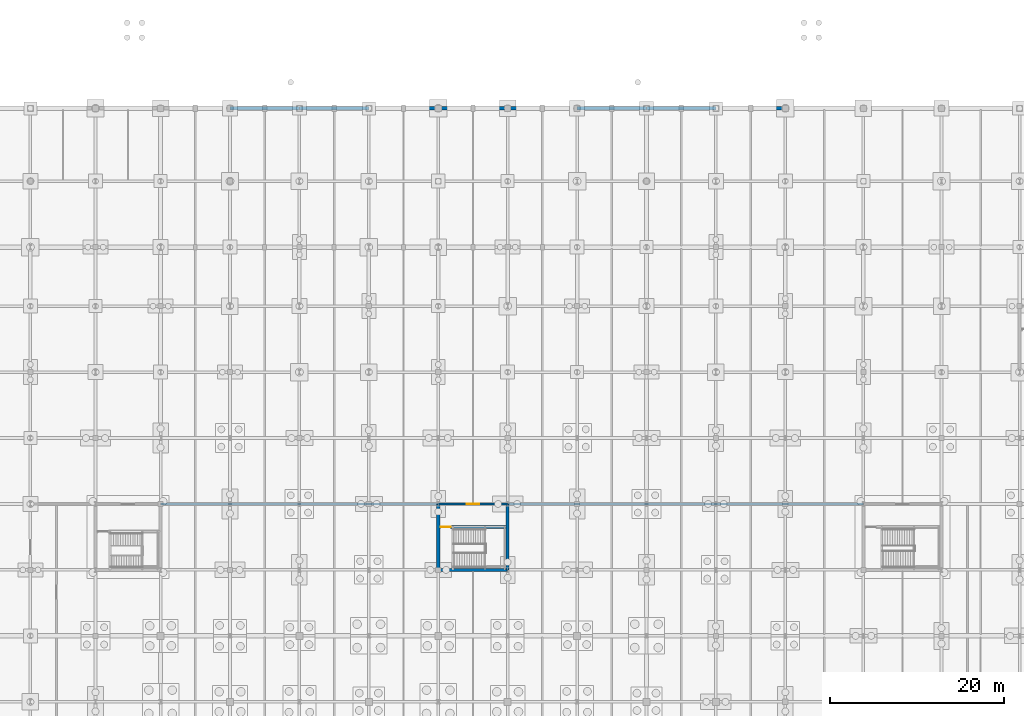
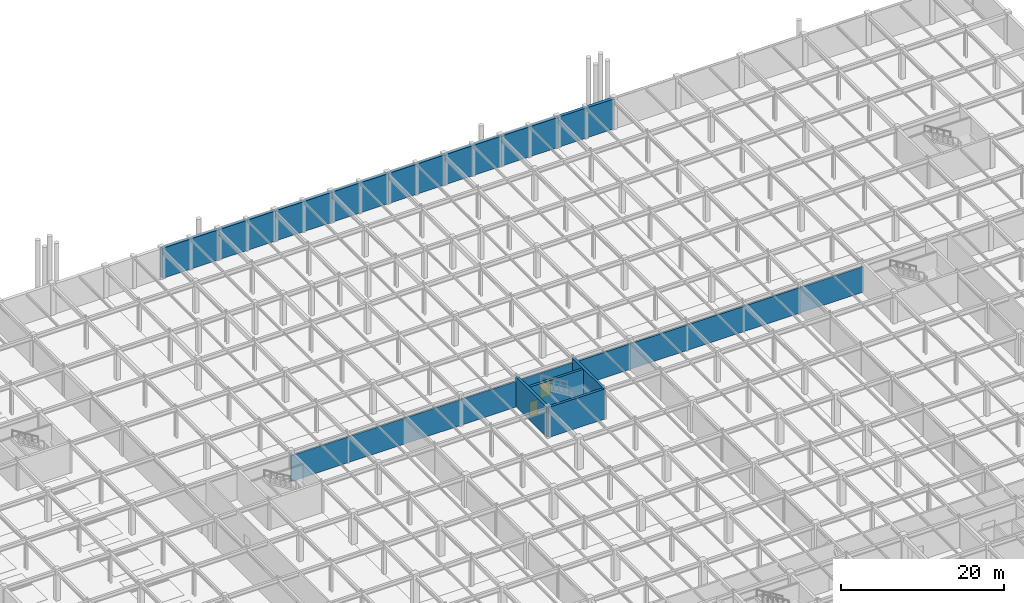
# One storey, part 45 of 53: 15 walls, 2 doors, 2 openings.
"""IFC4 building model written with IfcOpenShell, lengths in metres."""

from ifc_helpers import new_model, si_unit, direction, frame, frame_2d, origin, place, context, subcontext, project, spatial, rectangle, extrude, material, layer, layer_set, type_object, element, fill, save


model = new_model("IFC4")

# Units and contexts
model_context = context("Model", 3, precision=1e-05, world=origin(), true_north=direction((0.0, 1.0)))
body_context = subcontext(model_context, "Body", "Model", "MODEL_VIEW")
ifc_project = project(units=[si_unit("LENGTHUNIT", "METRE"), si_unit("AREAUNIT", "SQUARE_METRE"), si_unit("VOLUMEUNIT", "CUBIC_METRE"), si_unit("PLANEANGLEUNIT", "RADIAN"), si_unit("MASSUNIT", "GRAM", prefix="KILO")], contexts=[model_context])

# Site, building, storey
site_placement = place(None, origin())
site = spatial("IfcSite", under=ifc_project, at=site_placement, CompositionType="ELEMENT")
building_placement = place(site_placement, origin())
building = spatial("IfcBuilding", under=site, at=building_placement, Name="Shalkamar Park Central Library", CompositionType="ELEMENT")
storey_placement = place(building_placement, frame((0.0, 0.0, -4.800048828125)))
storey = spatial("IfcBuildingStorey", under=building, at=storey_placement, Name="B1", CompositionType="ELEMENT", Elevation=-4.800048828125)

# Walls
ifc_material_1 = material(Name="Concrete C40/50", Category="concrete")
ifc_layer_1 = layer(ifc_material_1, 0.449951171875)
ifc_layer_set_1 = layer_set([ifc_layer_1], Name="Concrete C40/50")
wall_type_1 = type_object("IfcWallType", Name="Basement Retaining Shear Wall 450", PredefinedType="SHEAR", material=ifc_layer_set_1)
for number, where, z_axis, x_axis, name in (
    (1, (173.0, 354.0, 0.0), (0.0, 0.0, 1.0), (1.0, 0.0, 0.0), "Basement Retaining Wall N-08"),
    (2, (181.0, 354.0, 0.0), (0.0, 0.0, 1.0), (1.0, 0.0, 0.0), "Basement Retaining Wall N-09"),
    (3, (189.0, 354.0, 0.0), (0.0, 0.0, 1.0), (1.0, 0.0, 0.0), "Basement Retaining Wall N-10"),
    (4, (197.0, 354.0, 0.0), (0.0, 0.0, 1.0), (1.0, 0.0, 0.0), "Basement Retaining Wall N-11"),
    (5, (205.0, 354.0, 0.0), (0.0, 0.0, 1.0), (1.0, 0.0, 0.0), "Basement Retaining Wall N-12"),
    (6, (213.0, 354.0, 0.0), (0.0, 0.0, 1.0), (1.0, 0.0, 0.0), "Basement Retaining Wall N-13"),
    (7, (221.0, 354.0, 0.0), (0.0, 0.0, 1.0), (1.0, 0.0, 0.0), "Basement Retaining Wall N-14"),
    (8, (229.0, 354.0, 0.0), (0.0, 0.0, 1.0), (1.0, 0.0, 0.0), "Basement Retaining Wall N-15"),
):
    element("IfcWall", number, at=place(storey_placement, frame(where, z_axis=z_axis, x_axis=x_axis)), inside=storey, type_object=wall_type_1, Name=name, PredefinedType="SHEAR", context=body_context, shape_type="SweptSolid", body=[
        extrude(rectangle(XDim=8.0, YDim=0.449951171875, at=frame_2d((4.0, 0.0))), origin(), (0.0, 0.0, 1.0), 4.510009765625),
    ])
ifc_material_2 = material(Name="Reinforced fire-compartment masonry wall", Category="masonry")
ifc_layer_2 = layer(ifc_material_2, 0.239990234375)
ifc_layer_set_2 = layer_set([ifc_layer_2], Name="CompartmentWall_240")
wall_type_2 = type_object("IfcWallType", Name="Compartment Wall 240", PredefinedType="PARTITIONING", material=ifc_layer_set_2)
wall_1_placement = place(storey_placement, frame((165.0, 308.39990234375, 0.0), z_axis=(0.0, 0.0, 1.0), x_axis=(1.0, 0.0, 0.0)))
element("IfcWall", 9, at=wall_1_placement, inside=storey, type_object=wall_type_2, Name="Interior Partition WL-INT-B1-034-S2", PredefinedType="PARTITIONING", context=body_context, shape_type="SweptSolid", body=[
    extrude(rectangle(XDim=32.0, YDim=0.239990234375, at=frame_2d((16.0, 0.0))), origin(), (0.0, 0.0, 1.0), 3.858154296875),
])
wall_2_placement = place(storey_placement, frame((205.0, 308.39990234375, 0.0), z_axis=(0.0, 0.0, 1.0), x_axis=(1.0, 0.0, 0.0)))
element("IfcWall", 10, at=wall_2_placement, inside=storey, type_object=wall_type_2, Name="Interior Partition WL-INT-B1-034-S3", PredefinedType="PARTITIONING", context=body_context, shape_type="SweptSolid", body=[
    extrude(rectangle(XDim=41.0, YDim=0.239990234375, at=frame_2d((20.5, 0.0))), origin(), (0.0, 0.0, 1.0), 3.80810546875),
])

# Wall, opening, door
ifc_material_3 = material(Name="Fire-rated corridor partition wall", Category="masonry")
ifc_layer_3 = layer(ifc_material_3, 0.199951171875)
ifc_layer_set_3 = layer_set([ifc_layer_3], Name="CorridorFireWall_200")
wall_type_3 = type_object("IfcWallType", Name="Corridor Fire Wall 200", PredefinedType="PARTITIONING", material=ifc_layer_set_3)
wall_3_placement = place(storey_placement, frame((197.0, 308.39990234375, 0.0), z_axis=(0.0, 0.0, 1.0), x_axis=(1.0, 0.0, 0.0)))
wall_3 = element("IfcWall", 11, at=wall_3_placement, inside=storey, type_object=wall_type_3, Name="CORE-P7 Vestibule North Wall (B1)", PredefinedType="PARTITIONING", context=body_context, shape_type="SweptSolid", body=[
    extrude(rectangle(XDim=8.0, YDim=0.199951171875, at=frame_2d((4.0, 0.0))), origin(), (0.0, 0.0, 1.0), 3.858154296875),
])
opening_1_placement = place(wall_3_placement, frame((3.27490234375, 0.0, 0.0)))
opening_1 = element("IfcOpeningElement", 12, at=opening_1_placement, cuts=wall_3, Name="Opening DR-ST-P7-B1-VEST", PredefinedType="OPENING", context=body_context, shape_type="SweptSolid", body=[
    extrude(rectangle(XDim=1.449951171875, YDim=2.199951171875, at=frame_2d((0.72509765625, 1.10009765625))), frame((0.0, 0.11474609375, 0.0), z_axis=(0.0, -1.0, 0.0), x_axis=(1.0, 0.0, 0.0)), (0.0, 0.0, 1.0), 0.229736328125),
])
ifc_material_4 = material(Name="Steel S355", Category="steel")
door_type_1 = type_object("IfcDoorType", Name="Stair Vestibule Door 1450x2200", OperationType="DOUBLE_DOOR_SINGLE_SWING", PredefinedType="DOOR", material=ifc_material_4)
door_1_placement = place(opening_1_placement, frame((1.449951171875, 0.0, 0.0), z_axis=(0.0, 0.0, 1.0), x_axis=(-1.0, 0.0, 0.0)))
door_1 = element("IfcDoor", 13, at=door_1_placement, inside=storey, type_object=door_type_1, Name="Protected Stair ST-P7 Vestibule Door (B1)", OperationType="DOUBLE_DOOR_SINGLE_SWING", OverallHeight=2.199951171875, OverallWidth=1.449951171875, PredefinedType="DOOR", context=body_context, shape_type="SweptSolid", body=[
    extrude(rectangle(XDim=1.449951171875, YDim=2.199951171875, at=frame_2d((0.72509765625, 1.10009765625))), frame((0.0, 0.02490234375, 0.0), z_axis=(0.0, -1.0, 0.0), x_axis=(1.0, 0.0, 0.0)), (0.0, 0.0, 1.0), 0.050048828125),
])
fill(opening_1, door_1)

# Walls
ifc_layer_4 = layer(ifc_material_1, 0.35009765625)
ifc_layer_set_4 = layer_set([ifc_layer_4], Name="Concrete C40/50")
wall_type_4 = type_object("IfcWallType", Name="Podium Core Shear Wall 350", PredefinedType="SHEAR", material=ifc_layer_set_4)
wall_4_placement = place(storey_placement, frame((197.0, 300.800048828125, 0.0), z_axis=(0.0, 0.0, 1.0), x_axis=(1.0, 0.0, 0.0)))
element("IfcWall", 14, at=wall_4_placement, inside=storey, type_object=wall_type_4, Name="CORE-P7 South Shear Wall (B1)", PredefinedType="SHEAR", context=body_context, shape_type="SweptSolid", body=[
    extrude(rectangle(XDim=8.0, YDim=0.35009765625, at=frame_2d((4.0, 0.0))), origin(), (0.0, 0.0, 1.0), 4.510009765625),
])
for number, where, z_axis, x_axis, name in (
    (15, (197.0, 300.800048828125, 0.0), (0.0, 0.0, 1.0), (0.0, 1.0, 0.0), "CORE-P7 West Shear Wall (B1)"),
    (16, (205.0, 300.800048828125, 0.0), (0.0, 0.0, 1.0), (0.0, 1.0, 0.0), "CORE-P7 East Shear Wall (B1)"),
):
    element("IfcWall", number, at=place(storey_placement, frame(where, z_axis=z_axis, x_axis=x_axis)), inside=storey, type_object=wall_type_4, Name=name, PredefinedType="SHEAR", context=body_context, shape_type="SweptSolid", body=[
        extrude(rectangle(XDim=7.599853515625, YDim=0.35009765625, at=frame_2d((3.7998046875, 0.0))), origin(), (0.0, 0.0, 1.0), 4.510009765625),
    ])

# Wall, opening, door
wall_5_placement = place(storey_placement, frame((197.0, 305.75, 0.0), z_axis=(0.0, 0.0, 1.0), x_axis=(1.0, 0.0, 0.0)))
wall_5 = element("IfcWall", 17, at=wall_5_placement, inside=storey, type_object=wall_type_4, Name="CORE-P7 Stairwell Wall (B1)", PredefinedType="SHEAR", context=body_context, shape_type="SweptSolid", body=[
    extrude(rectangle(XDim=8.0, YDim=0.35009765625, at=frame_2d((4.0, 0.0))), origin(), (0.0, 0.0, 1.0), 4.510009765625),
])
opening_2_placement = place(wall_5_placement, frame((0.27490234375, 0.0, 0.0)))
opening_2 = element("IfcOpeningElement", 18, at=opening_2_placement, cuts=wall_5, Name="Opening DR-ST-P7-B1-IN", PredefinedType="OPENING", context=body_context, shape_type="SweptSolid", body=[
    extrude(rectangle(XDim=1.14990234375, YDim=2.14990234375, at=frame_2d((0.574951171875, 1.074951171875))), frame((0.0, 0.18994140625, 0.0), z_axis=(0.0, -1.0, 0.0), x_axis=(1.0, 0.0, 0.0)), (0.0, 0.0, 1.0), 0.3798828125),
])
door_type_2 = type_object("IfcDoorType", Name="Stair Core Exit Door 1150x2150", OperationType="NOTDEFINED", PredefinedType="DOOR", material=ifc_material_4)
door_2_placement = place(opening_2_placement, frame((1.14990234375, 0.0, 0.0), z_axis=(0.0, 0.0, 1.0), x_axis=(-1.0, 0.0, 0.0)))
door_2 = element("IfcDoor", 19, at=door_2_placement, inside=storey, type_object=door_type_2, Name="Protected Stair ST-P7 Exit Door (B1)", OperationType="SINGLE_SWING_RIGHT", OverallHeight=2.14990234375, OverallWidth=1.14990234375, PredefinedType="DOOR", context=body_context, shape_type="SweptSolid", body=[
    extrude(rectangle(XDim=1.14990234375, YDim=2.14990234375, at=frame_2d((0.574951171875, 1.074951171875))), frame((0.0, 0.02490234375, 0.0), z_axis=(0.0, -1.0, 0.0), x_axis=(1.0, 0.0, 0.0)), (0.0, 0.0, 1.0), 0.050048828125),
])
fill(opening_2, door_2)

save(model, "model.ifc")
